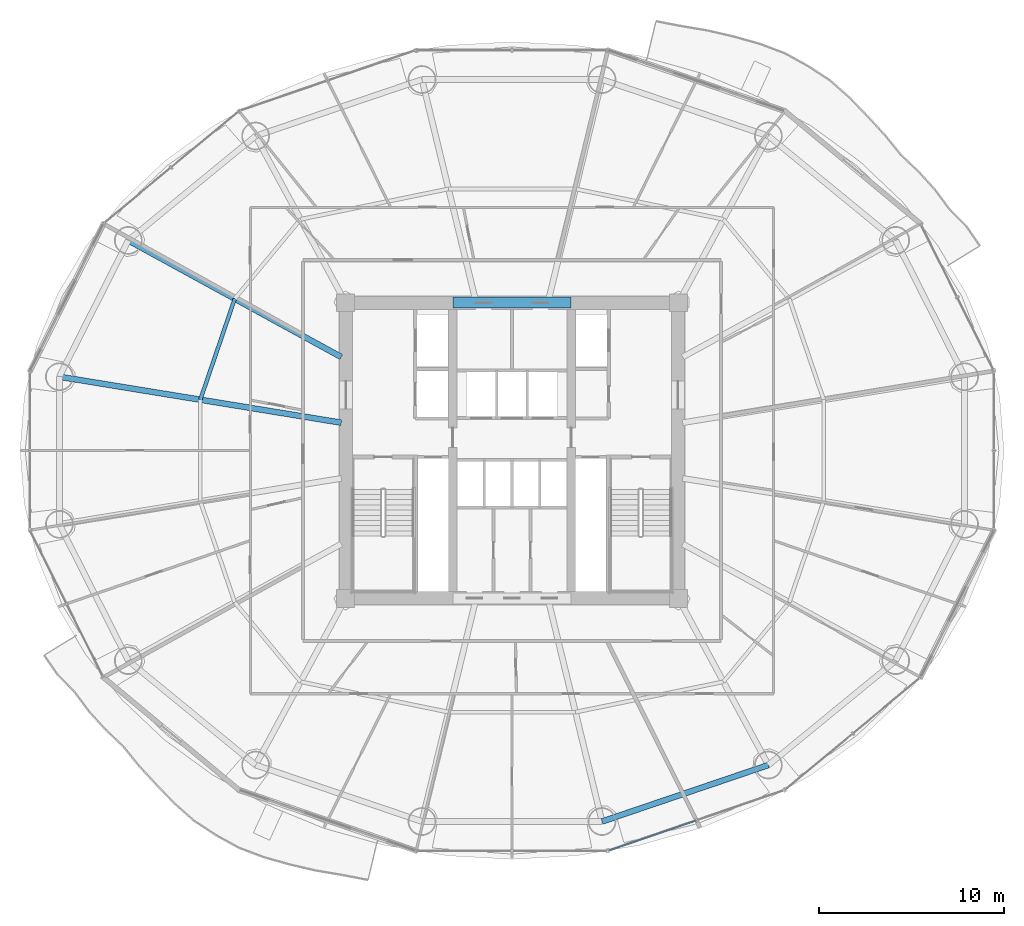
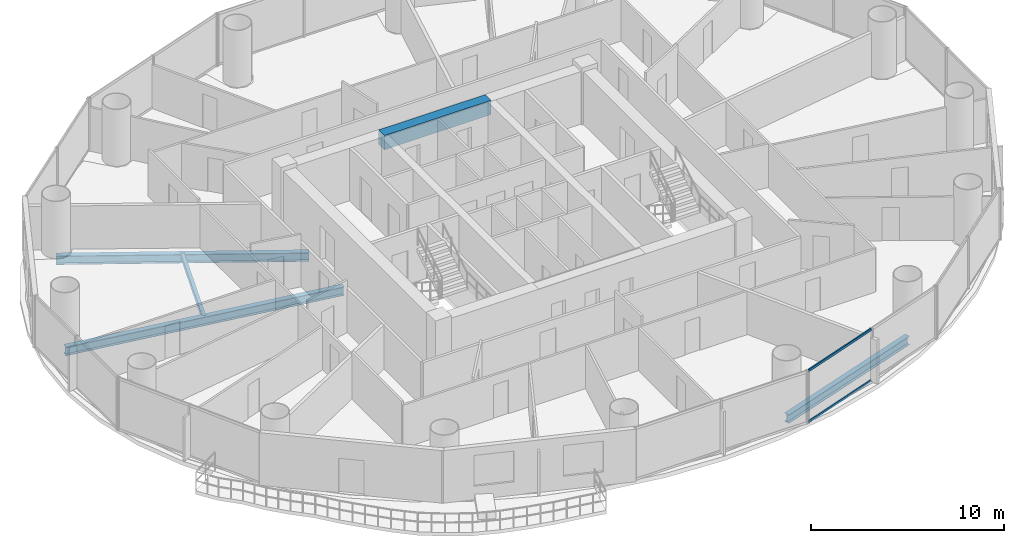
# One storey, part 9 of 28: 5 beams, 2 members, 1 element without a shape of its own.
"""IFC4 building model written with IfcOpenShell, lengths in metres."""

from ifc_helpers import new_model, si_unit, direction, frame, origin, origin_2d, place, context, subcontext, project, spatial, rectangle, hollow_rectangle, i_section, extrude, source, transform, mapped, material, material_profile, profile_set, type_object, element, aggregate, save


model = new_model("IFC4")

# Units and contexts
model_context = context("Model", 3, precision=1e-05, world=origin(), true_north=direction((-0.2419218956, 0.970295726276)))
body_context = subcontext(model_context, "Body", "Model", "MODEL_VIEW")
ifc_project = project(units=[si_unit("LENGTHUNIT", "METRE"), si_unit("AREAUNIT", "SQUARE_METRE"), si_unit("VOLUMEUNIT", "CUBIC_METRE"), si_unit("PLANEANGLEUNIT", "RADIAN"), si_unit("MASSUNIT", "GRAM", prefix="KILO")], contexts=[model_context])

# Site, building, storey
site_placement = place(None, origin())
site = spatial("IfcSite", under=ifc_project, at=site_placement, CompositionType="ELEMENT")
building_placement = place(site_placement, origin())
building = spatial("IfcBuilding", under=site, at=building_placement, Name="Cobrevalo Terracotta Tower", CompositionType="ELEMENT")
storey_placement = place(building_placement, frame((0.0, 0.0, 108.60009765625)))
storey = spatial("IfcBuildingStorey", under=building, at=storey_placement, Name="L28", CompositionType="ELEMENT", Elevation=108.60009765625)

# Beams
ifc_material_1 = material(Name="Concrete C60", Category="concrete")
ifc_material_profile_1 = material_profile(ifc_material_1, rectangle(XDim=0.60009765625, YDim=0.89990234375, at=origin_2d()), Name="RC CB 600x900")
ifc_profile_set_1 = profile_set([ifc_material_profile_1], Name="Concrete C60")
beam_type_1 = type_object("IfcBeamType", Name="Structural Beam RC CB 600x900 (Concrete C60)", PredefinedType="BEAM", material=ifc_profile_set_1)
beam_1_placement = place(storey_placement, frame((34.800048828125, 34.800048828125, 2.875), z_axis=(1.0, 0.0, 0.0), x_axis=(0.0, 1.0, 0.0)))
element("IfcBeam", 1, at=beam_1_placement, inside=storey, type_object=beam_type_1, Name="L28 core coupling beam 2", PredefinedType="BEAM", context=body_context, shape_type="SweptSolid", body=[
    extrude(rectangle(XDim=0.60009765625, YDim=0.89990234375, at=origin_2d()), origin(), (0.0, 0.0, 1.0), 6.39990234375),
])
ifc_material_2 = material(Name="Steel S355", Category="steel")
ifc_material_profile_2 = material_profile(ifc_material_2, i_section(OverallWidth=0.31201171875, OverallDepth=0.54296875, WebThickness=0.0126953125, FlangeThickness=0.020263671875, at=origin_2d()), Name="W 530x150")
ifc_profile_set_2 = profile_set([ifc_material_profile_2], Name="Steel S355")
beam_type_2 = type_object("IfcBeamType", Name="Structural Beam W 530x150 (Steel S355)", PredefinedType="BEAM", material=ifc_profile_set_2)
beam_2_placement = place(storey_placement, frame((17.2548828125, 38.161376953125, -0.546630859375), z_axis=(0.877080599376, -0.480343233738, 0.0), x_axis=(0.480343233738, 0.877080599376, 0.0)))
element("IfcBeam", 2, at=beam_2_placement, inside=storey, type_object=beam_type_2, Name="L28 radial floor girder 07", PredefinedType="BEAM", context=body_context, shape_type="SweptSolid", body=[
    extrude(i_section(OverallWidth=0.31201171875, OverallDepth=0.54296875, WebThickness=0.0126953125, FlangeThickness=0.020263671875, at=origin_2d()), origin(), (0.0, 0.0, 1.0), 13.12890625),
])
beam_3_placement = place(storey_placement, frame((13.529296875, 30.78955078125, -0.546630859375), z_axis=(0.986970567439, -0.160900898101, 0.0), x_axis=(0.160900898101, 0.986970567439, 0.0)))
element("IfcBeam", 3, at=beam_3_placement, inside=storey, type_object=beam_type_2, Name="L28 radial floor girder 08", PredefinedType="BEAM", context=body_context, shape_type="SweptSolid", body=[
    extrude(i_section(OverallWidth=0.31201171875, OverallDepth=0.54296875, WebThickness=0.0126953125, FlangeThickness=0.020263671875, at=origin_2d()), origin(), (0.0, 0.0, 1.0), 15.44189453125),
])
ifc_material_profile_3 = material_profile(ifc_material_2, i_section(OverallWidth=0.2041015625, OverallDepth=0.305908203125, WebThickness=0.008544921875, FlangeThickness=0.0146484375, at=origin_2d()), Name="W 310x67")
ifc_profile_set_3 = profile_set([ifc_material_profile_3], Name="Steel S355")
beam_type_3 = type_object("IfcBeamType", Name="Structural Joist W 310x67 (Steel S355)", PredefinedType="JOIST", material=ifc_profile_set_3)
beam_4_placement = place(storey_placement, frame((23.012451171875, 35.00830078125, -0.427978515625), z_axis=(-0.322833299398, -0.94645584197, 0.0), x_axis=(0.94645584197, -0.322833299398, 0.0)))
element("IfcBeam", 4, at=beam_4_placement, inside=storey, type_object=beam_type_3, Name="L28 circumferential secondary floor joist 07", PredefinedType="JOIST", context=body_context, shape_type="SweptSolid", body=[
    extrude(i_section(OverallWidth=0.2041015625, OverallDepth=0.305908203125, WebThickness=0.008544921875, FlangeThickness=0.0146484375, at=origin_2d()), origin(), (0.0, 0.0, 1.0), 5.77001953125),
])
ifc_material_profile_4 = material_profile(ifc_material_2, i_section(OverallWidth=0.31201171875, OverallDepth=0.54296875, WebThickness=0.0126953125, FlangeThickness=0.020263671875, at=origin_2d()), Name="W 530x150")
ifc_profile_set_4 = profile_set([ifc_material_profile_4], Name="Steel S355")
beam_type_4 = type_object("IfcBeamType", Name="Structural Spandrel W 530x150 (Steel S355)", PredefinedType="SPANDREL", material=ifc_profile_set_4)
beam_5_placement = place(storey_placement, frame((42.867431640625, 6.742919921875, -0.546630859375), z_axis=(0.94691835344, 0.321474154356, 0.0), x_axis=(-0.321474154356, 0.94691835344, 0.0)))
element("IfcBeam", 5, at=beam_5_placement, inside=storey, type_object=beam_type_4, Name="L28 perimeter ring spandrel 13", PredefinedType="SPANDREL", context=body_context, shape_type="SweptSolid", body=[
    extrude(i_section(OverallWidth=0.31201171875, OverallDepth=0.54296875, WebThickness=0.0126953125, FlangeThickness=0.020263671875, at=origin_2d()), origin(), (0.0, 0.0, 1.0), 9.498291015625),
])

# Curtain wall, members
ifc_material_3 = material(Name="Anodized aluminium", Category="aluminium")
curtain_wall_type = type_object("IfcCurtainWallType", Name="Lower-tower unitised acoustic low-E curtain wall CW-U1", PredefinedType="NOTDEFINED", material=ifc_material_3)
curtain_wall_placement = place(storey_placement, origin())
curtain_wall = element("IfcCurtainWall", 6, at=curtain_wall_placement, inside=storey, type_object=curtain_wall_type, Name="L28 curtain wall CW-L28-S13", PredefinedType="NOTDEFINED")
ifc_material_profile_5 = material_profile(ifc_material_3, hollow_rectangle(XDim=0.074951171875, YDim=0.14990234375, WallThickness=0.00439453125, at=origin_2d()), Name="CWT 75x150")
ifc_profile_set_5 = profile_set([ifc_material_profile_5], Name="Anodized aluminium")
member_type = type_object("IfcMemberType", Name="Tower unitised aluminium transom 75x150", PredefinedType="USERDEFINED", material=ifc_profile_set_5)
shared_shape = source(origin(), body_context, "Body", "SweptSolid", [
    extrude(hollow_rectangle(XDim=0.074951171875, YDim=0.14990234375, WallThickness=0.00439453125, at=origin_2d()), origin(), (0.0, 0.0, 1.0), 4.944580078125),
])
member_1_placement = place(storey_placement, frame((43.25927734375, 5.18017578125, 0.0498046875), z_axis=(0.945597859971, 0.32533780478, 0.0), x_axis=(-0.32533780478, 0.945597859971, 0.0)))
member_1 = element("IfcMember", 7, at=member_1_placement, type_object=member_type, Name="CW-L28-S13 transom B01-T1", ObjectType="TRANSOM", PredefinedType="USERDEFINED", context=body_context, shape_type="MappedRepresentation", body=[
    mapped(shared_shape, transform((0.0, 0.0, 0.0), scale=1.0)),
])
member_2_placement = place(storey_placement, frame((43.25927734375, 5.18017578125, 3.27490234375), z_axis=(0.945597859971, 0.32533780478, 0.0), x_axis=(-0.32533780478, 0.945597859971, 0.0)))
member_2 = element("IfcMember", 8, at=member_2_placement, type_object=member_type, Name="CW-L28-S13 transom B01-T2", ObjectType="TRANSOM", PredefinedType="USERDEFINED", context=body_context, shape_type="MappedRepresentation", body=[
    mapped(shared_shape, transform((0.0, 0.0, 0.0), scale=1.0)),
])
aggregate(curtain_wall, [member_1, member_2])

save(model, "model.ifc")
